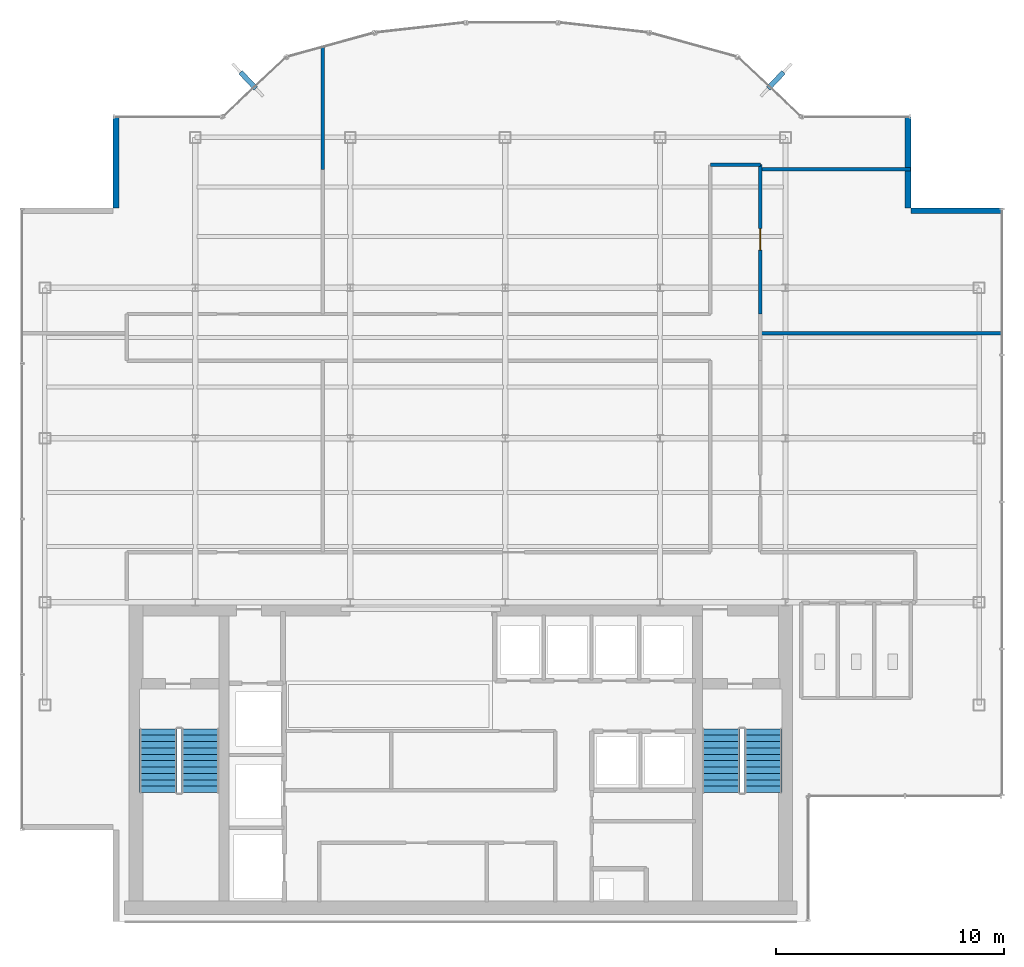
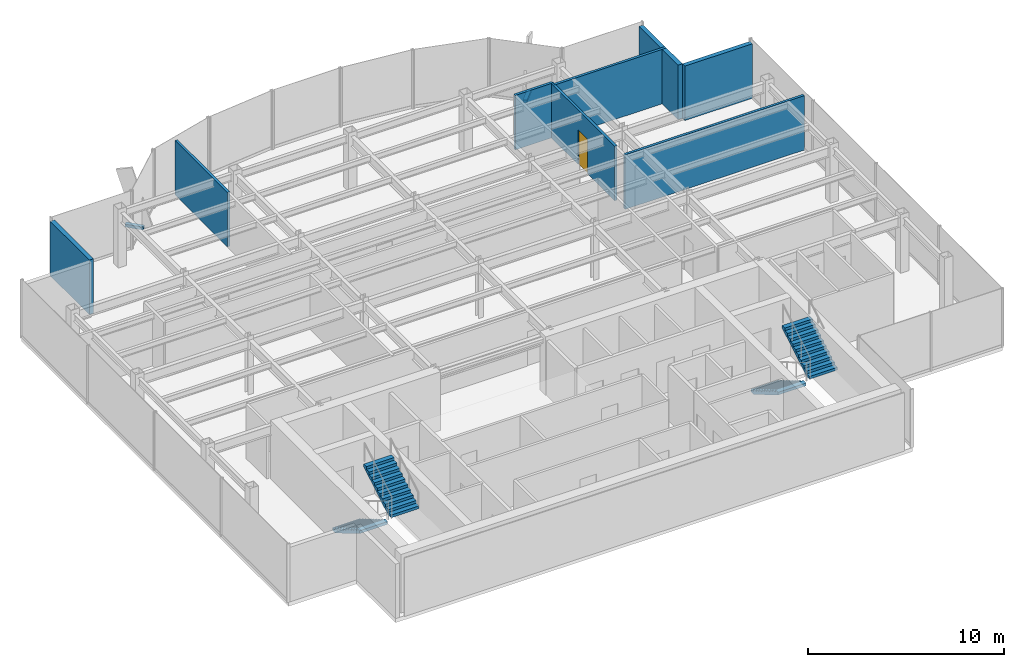
# One storey, part 19 of 22: 8 walls, 4 stair flights, 2 discrete accessories, 1 door, 1 opening, 2 elements without a shape of their own.
"""IFC4 building model written with IfcOpenShell, lengths in metres."""

from ifc_helpers import new_model, si_unit, derived_unit, direction, frame, frame_2d, origin, origin_2d, place, context, subcontext, project, spatial, polyline, rectangle, outline, extrude, source, transform, mapped, material, layer, layer_set, type_object, element, fill, aggregate, save


model = new_model("IFC4")

# Units and contexts
model_context = context("Model", 3, precision=1e-05, world=origin(), true_north=direction((0.0, 1.0)))
body_context = subcontext(model_context, "Body", "Model", "MODEL_VIEW")
ifc_project = project(units=[si_unit("LENGTHUNIT", "METRE"), si_unit("AREAUNIT", "SQUARE_METRE"), si_unit("VOLUMEUNIT", "CUBIC_METRE"), si_unit("PLANEANGLEUNIT", "RADIAN"), si_unit("MASSUNIT", "GRAM", prefix="KILO"), derived_unit("THERMALTRANSMITTANCEUNIT", [(si_unit("POWERUNIT", "WATT"), 1), (si_unit("LENGTHUNIT", "METRE"), -2), (si_unit("THERMODYNAMICTEMPERATUREUNIT", "KELVIN"), -1)])], contexts=[model_context])

# Site, building, storey
site_placement = place(None, origin())
site = spatial("IfcSite", under=ifc_project, at=site_placement, CompositionType="ELEMENT")
building_placement = place(site_placement, origin())
building = spatial("IfcBuilding", under=site, at=building_placement, Name="Skarnbrae Concourse Arena and Tower", CompositionType="ELEMENT")
storey_placement = place(building_placement, frame((0.0, 0.0, 199.550048828125)))
storey = spatial("IfcBuildingStorey", under=building, at=storey_placement, Name="L51", CompositionType="ELEMENT", Elevation=199.550048828125)

# Walls
ifc_material_1 = material(Name="Precast concrete 40 MPa (C40/50)", Category="concrete")
ifc_layer_1 = layer(ifc_material_1, 0.25)
ifc_layer_set_1 = layer_set([ifc_layer_1], Name="Precast concrete 40 MPa (C40/50)")
wall_type_1 = type_object("IfcWallType", Name="WALL-EXT-SPANDREL-250", PredefinedType="STANDARD", material=ifc_layer_set_1)
shared_shape_1 = source(origin(), body_context, "Body", "SweptSolid", [
    extrude(rectangle(XDim=4.0, YDim=0.25, at=frame_2d((2.0, 0.0))), origin(), (0.0, 0.0, 1.0), 3.39990234375),
])
for number, where, z_axis, x_axis, name in (
    (1, (43.0, 31.175048828125, 0.0), (0.0, 0.0, 1.0), (-1.0, 0.0, 0.0), "L51 Notched corner insulated return wall 05"),
    (2, (38.875, 31.300048828125, 0.0), (0.0, 0.0, 1.0), (0.0, 1.0, 0.0), "L51 Notched corner insulated return wall 06"),
    (3, (4.125, 35.300048828125, 0.0), (0.0, 0.0, 1.0), (0.0, -1.0, 0.0), "L51 Notched corner insulated return wall 16"),
):
    element("IfcWall", number, at=place(storey_placement, frame(where, z_axis=z_axis, x_axis=x_axis)), inside=storey, type_object=wall_type_1, Name=name, PredefinedType="STANDARD", context=body_context, shape_type="MappedRepresentation", body=[
        mapped(shared_shape_1, transform((0.0, 0.0, 0.0))),
    ])
ifc_material_2 = material(Name="Gypsum board on cold-formed steel studs", Category="steel")
ifc_layer_2 = layer(ifc_material_2, 0.14990234375)
ifc_layer_set_2 = layer_set([ifc_layer_2], Name="Gypsum board on cold-formed steel studs")
wall_type_2 = type_object("IfcWallType", Name="WALL-PART-150-1HR", PredefinedType="PARTITIONING", material=ifc_layer_set_2)
shared_shape_2 = source(origin(), body_context, "Body", "SweptSolid", [
    extrude(rectangle(XDim=2.199951171875, YDim=0.14990234375, at=frame_2d((1.10009765625, 0.0))), origin(), (0.0, 0.0, 1.0), 3.39990234375),
])
wall_1_placement = place(storey_placement, frame((30.199951171875, 33.199951171875, 0.0), z_axis=(0.0, 0.0, 1.0), x_axis=(1.0, 0.0, 0.0)))
element("IfcWall", 4, at=wall_1_placement, inside=storey, type_object=wall_type_2, Name="L51 Interior partition wall W-L51-COR-08", PredefinedType="PARTITIONING", context=body_context, shape_type="MappedRepresentation", body=[
    mapped(shared_shape_2, transform((0.0, 0.0, 0.0))),
])

# Wall, opening, door
shared_shape_3 = source(origin(), body_context, "Body", "SweptSolid", [
    extrude(rectangle(XDim=6.550048828125, YDim=0.14990234375, at=frame_2d((3.27490234375, 0.0))), origin(), (0.0, 0.0, 1.0), 3.39990234375),
])
wall_2_placement = place(storey_placement, frame((32.39990234375, 33.199951171875, 0.0), z_axis=(0.0, 0.0, 1.0), x_axis=(0.0, -1.0, 0.0)))
wall_2 = element("IfcWall", 5, at=wall_2_placement, inside=storey, type_object=wall_type_2, Name="L51 Interior partition wall W-L51-COR-09", PredefinedType="PARTITIONING", context=body_context, shape_type="MappedRepresentation", body=[
    mapped(shared_shape_3, transform((0.0, 0.0, 0.0))),
])
opening_placement = place(wall_2_placement, frame((2.800048828125, 0.0, 0.0)))
opening = element("IfcOpeningElement", 6, at=opening_placement, cuts=wall_2, Name="Opening DT-04", PredefinedType="OPENING", context=body_context, shape_type="SweptSolid", body=[
    extrude(rectangle(XDim=0.949951171875, YDim=2.14990234375, at=frame_2d((0.47509765625, 1.074951171875))), frame((0.0, 0.0849609375, 0.0), z_axis=(0.0, -1.0, 0.0), x_axis=(1.0, 0.0, 0.0)), (0.0, 0.0, 1.0), 0.169921875),
])
ifc_material_3 = material(Name="Steel CSA G40.21 350W", Category="steel")
door_type = type_object("IfcDoorType", Name="DOOR-INT-950-45M", OperationType="NOTDEFINED", PredefinedType="DOOR", material=ifc_material_3)
shared_shape_4 = source(origin(), body_context, "Body", "SweptSolid", [
    extrude(rectangle(XDim=0.949951171875, YDim=2.14990234375, at=frame_2d((0.47509765625, 1.074951171875))), frame((0.0, 0.02490234375, 0.0), z_axis=(0.0, -1.0, 0.0), x_axis=(1.0, 0.0, 0.0)), (0.0, 0.0, 1.0), 0.050048828125),
])
door_placement = place(opening_placement, origin())
door = element("IfcDoor", 7, at=door_placement, inside=storey, type_object=door_type, Name="D-1581 L51 Suite Door 05", OperationType="SINGLE_SWING_LEFT", OverallHeight=2.14990234375, OverallWidth=0.949951171875, PredefinedType="DOOR", context=body_context, shape_type="MappedRepresentation", body=[
    mapped(shared_shape_4, transform((0.0, 0.0, 0.0))),
])
fill(opening, door)

# Walls
ifc_layer_3 = layer(ifc_material_2, 0.14990234375)
ifc_layer_set_3 = layer_set([ifc_layer_3], Name="Gypsum board on cold-formed steel studs")
wall_type_3 = type_object("IfcWallType", Name="WALL-PART-150", PredefinedType="PARTITIONING", material=ifc_layer_set_3)
shared_shape_5 = source(origin(), body_context, "Body", "SweptSolid", [
    extrude(rectangle(XDim=5.349609375, YDim=0.14990234375, at=frame_2d((2.6748046875, 0.0))), origin(), (0.0, 0.0, 1.0), 3.39990234375),
])
wall_3_placement = place(storey_placement, frame((13.199951171875, 38.349609375, 0.0), z_axis=(0.0, 0.0, 1.0), x_axis=(0.0, -1.0, 0.0)))
element("IfcWall", 8, at=wall_3_placement, inside=storey, type_object=wall_type_3, Name="L51 Interior partition wall W-L51-DEM-17", PredefinedType="PARTITIONING", context=body_context, shape_type="MappedRepresentation", body=[
    mapped(shared_shape_5, transform((0.0, 0.0, 0.0))),
])
shared_shape_6 = source(origin(), body_context, "Body", "SweptSolid", [
    extrude(rectangle(XDim=10.580078125, YDim=0.14990234375, at=frame_2d((5.2900390625, 0.0))), origin(), (0.0, 0.0, 1.0), 3.39990234375),
])
wall_4_placement = place(storey_placement, frame((42.97998046875, 25.800048828125, 0.0), z_axis=(0.0, 0.0, 1.0), x_axis=(-1.0, 0.0, 0.0)))
element("IfcWall", 9, at=wall_4_placement, inside=storey, type_object=wall_type_3, Name="L51 Interior partition wall W-L51-DEM-19", PredefinedType="PARTITIONING", context=body_context, shape_type="MappedRepresentation", body=[
    mapped(shared_shape_6, transform((0.0, 0.0, 0.0))),
])
shared_shape_7 = source(origin(), body_context, "Body", "SweptSolid", [
    extrude(rectangle(XDim=6.580078125, YDim=0.14990234375, at=frame_2d((3.2900390625, 0.0))), origin(), (0.0, 0.0, 1.0), 3.39990234375),
])
wall_5_placement = place(storey_placement, frame((38.97998046875, 33.0, 0.0), z_axis=(0.0, 0.0, 1.0), x_axis=(-1.0, 0.0, 0.0)))
element("IfcWall", 10, at=wall_5_placement, inside=storey, type_object=wall_type_3, Name="L51 Interior partition wall W-L51-DEM-20", PredefinedType="PARTITIONING", context=body_context, shape_type="MappedRepresentation", body=[
    mapped(shared_shape_7, transform((0.0, 0.0, 0.0))),
])

# Stair, stair flights
ifc_material_4 = material(Name="Concrete 40 MPa (C40/50)", Category="concrete")
stair_type = type_object("IfcStairType", Name="STAIR-DOGLEG-1650", PredefinedType="HALF_TURN_STAIR", material=ifc_material_4)
stair_1_placement = place(storey_placement, origin())
stair_1 = element("IfcStair", 11, at=stair_1_placement, inside=storey, type_object=stair_type, Name="L51 Protected Exit Stair ST-1", PredefinedType="HALF_TURN_STAIR")
stair_flight_type = type_object("IfcStairFlightType", Name="FLIGHT-STRAIGHT-1650", PredefinedType="STRAIGHT", material=ifc_material_4)
shared_shape_8 = source(origin(), body_context, "Body", "SweptSolid", [
    extrude(outline(polyline([(0.0, 0.0), (0.0, 0.166015625), (0.280029296875, 0.166015625), (0.280029296875, 0.331787109375), (0.56005859375, 0.331787109375), (0.56005859375, 0.497802734375), (0.840087890625, 0.497802734375), (0.840087890625, 0.66357421875), (1.1201171875, 0.66357421875), (1.1201171875, 0.82958984375), (1.39990234375, 0.82958984375), (1.39990234375, 0.995361328125), (1.679931640625, 0.995361328125), (1.679931640625, 1.161376953125), (1.9599609375, 1.161376953125), (1.9599609375, 1.327392578125), (2.239990234375, 1.327392578125), (2.239990234375, 1.4931640625), (2.52001953125, 1.4931640625), (2.52001953125, 1.6591796875), (2.800048828125, 1.6591796875), (2.800048828125, 1.824951171875), (2.800048828125, 1.48486328125), (0.2939453125, 0.0), (0.0, 0.0)])), frame((0.0, 0.824951171875, 0.0), z_axis=(0.0, -1.0, 0.0), x_axis=(1.0, 0.0, 0.0)), (0.0, 0.0, 1.0), 1.64990234375),
])
stair_flight_1_placement = place(storey_placement, frame((5.97509765625, 8.449951171875, 0.0), z_axis=(0.0, 0.0, 1.0), x_axis=(0.0, -1.0, 0.0)))
stair_flight_1 = element("IfcStairFlight", 12, at=stair_flight_1_placement, type_object=stair_flight_type, Name="ST-1 flight 1", NumberOfRisers=11, NumberOfTreads=10, PredefinedType="STRAIGHT", RiserHeight=0.165909091, TreadLength=0.28, context=body_context, shape_type="MappedRepresentation", body=[
    mapped(shared_shape_8, transform((0.0, 0.0, 0.0))),
])
stair_flight_2_placement = place(storey_placement, frame((7.824951171875, 5.64990234375, 1.824951171875), z_axis=(0.0, 0.0, 1.0), x_axis=(0.0, 1.0, 0.0)))
stair_flight_2 = element("IfcStairFlight", 13, at=stair_flight_2_placement, type_object=stair_flight_type, Name="ST-1 flight 2", NumberOfRisers=11, NumberOfTreads=10, PredefinedType="STRAIGHT", RiserHeight=0.165909091, TreadLength=0.28, context=body_context, shape_type="MappedRepresentation", body=[
    mapped(shared_shape_8, transform((0.0, 0.0, 0.0))),
])
aggregate(stair_1, [stair_flight_1, stair_flight_2])

stair_2_placement = place(storey_placement, origin())
stair_2 = element("IfcStair", 14, at=stair_2_placement, inside=storey, type_object=stair_type, Name="L51 Protected Exit Stair ST-2", PredefinedType="HALF_TURN_STAIR")
stair_flight_3_placement = place(storey_placement, frame((30.675048828125, 8.449951171875, 0.0), z_axis=(0.0, 0.0, 1.0), x_axis=(0.0, -1.0, 0.0)))
stair_flight_3 = element("IfcStairFlight", 15, at=stair_flight_3_placement, type_object=stair_flight_type, Name="ST-2 flight 1", NumberOfRisers=11, NumberOfTreads=10, PredefinedType="STRAIGHT", RiserHeight=0.165909091, TreadLength=0.28, context=body_context, shape_type="MappedRepresentation", body=[
    mapped(shared_shape_8, transform((0.0, 0.0, 0.0))),
])
stair_flight_4_placement = place(storey_placement, frame((32.52490234375, 5.64990234375, 1.824951171875), z_axis=(0.0, 0.0, 1.0), x_axis=(0.0, 1.0, 0.0)))
stair_flight_4 = element("IfcStairFlight", 16, at=stair_flight_4_placement, type_object=stair_flight_type, Name="ST-2 flight 2", NumberOfRisers=11, NumberOfTreads=10, PredefinedType="STRAIGHT", RiserHeight=0.165909091, TreadLength=0.28, context=body_context, shape_type="MappedRepresentation", body=[
    mapped(shared_shape_8, transform((0.0, 0.0, 0.0))),
])
aggregate(stair_2, [stair_flight_3, stair_flight_4])

# Discrete accessories
ifc_material_5 = material(Name="Bronze anodised aluminium 6063-T6", Category="aluminium")
discrete_accessory_type = type_object("IfcDiscreteAccessoryType", Name="ACC-FIN-BRACKET", PredefinedType="BRACKET", material=ifc_material_5)
shared_shape_9 = source(origin(), body_context, "Body", "SweptSolid", [
    extrude(rectangle(XDim=0.219970703125, YDim=0.97998046875, at=origin_2d()), origin(), (0.0, 0.0, 1.0), 0.179931640625),
])
for number, where, z_axis, x_axis, name in (
    (17, (33.0791015625, 36.904541015625, -0.02978515625), (0.0, 0.0, 1.0), (0.728131751529, -0.685437198009, 0.0), "L51 Bronze fin foot support bracket 08"),
    (18, (9.9208984375, 36.904541015625, -0.02978515625), (0.0, 0.0, 1.0), (0.728131751529, 0.685437198009, 0.0), "L51 Bronze fin foot support bracket 14"),
):
    element("IfcDiscreteAccessory", number, at=place(storey_placement, frame(where, z_axis=z_axis, x_axis=x_axis)), inside=storey, type_object=discrete_accessory_type, Name=name, PredefinedType="BRACKET", context=body_context, shape_type="MappedRepresentation", body=[
        mapped(shared_shape_9, transform((0.0, 0.0, 0.0))),
    ])

save(model, "model.ifc")
